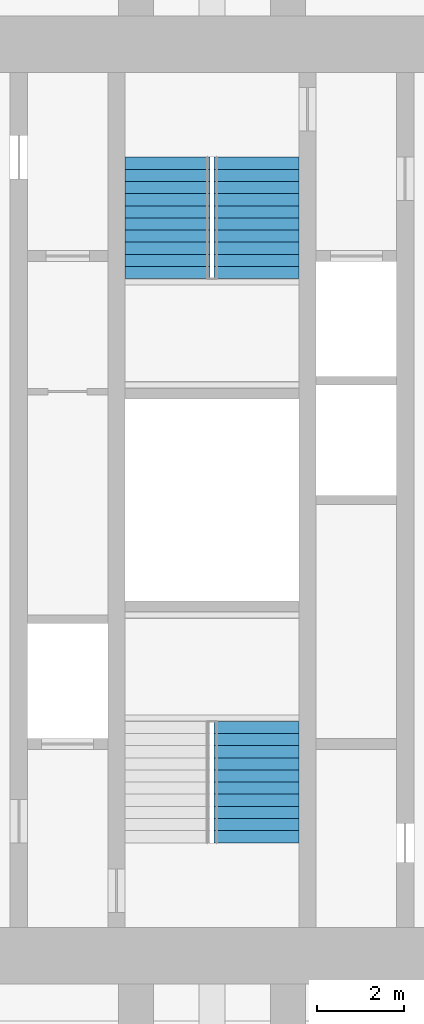
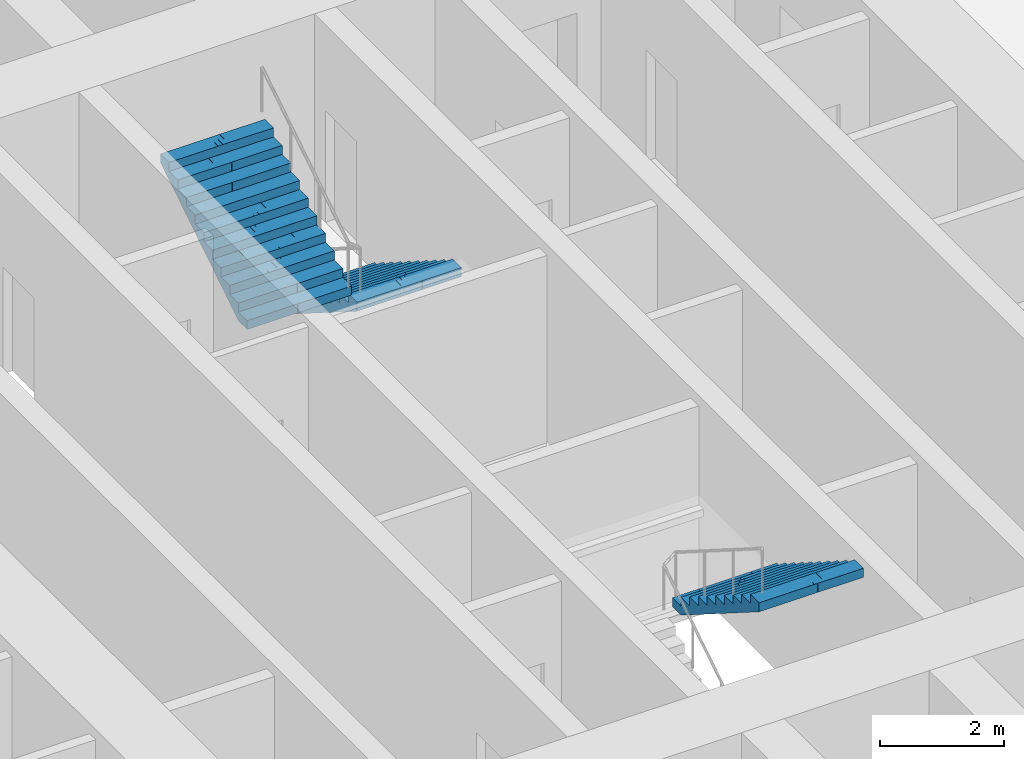
# One storey, part 16 of 17: 3 stair flights, 2 elements without a shape of their own.
"""IFC4 building model written with IfcOpenShell, lengths in metres."""

from ifc_helpers import new_model, si_unit, direction, frame, origin, place, context, subcontext, project, spatial, polyline, outline, extrude, material, type_object, element, aggregate, save


model = new_model("IFC4")

# Units and contexts
model_context = context("Model", 3, precision=1e-05, world=origin(), true_north=direction((0.0, 1.0)))
body_context = subcontext(model_context, "Body", "Model", "MODEL_VIEW")
ifc_project = project(units=[si_unit("LENGTHUNIT", "METRE"), si_unit("AREAUNIT", "SQUARE_METRE"), si_unit("VOLUMEUNIT", "CUBIC_METRE"), si_unit("PLANEANGLEUNIT", "RADIAN"), si_unit("MASSUNIT", "GRAM", prefix="KILO")], contexts=[model_context])

# Site, building, storey
site_placement = place(None, origin())
site = spatial("IfcSite", under=ifc_project, at=site_placement, CompositionType="ELEMENT")
building_placement = place(site_placement, origin())
building = spatial("IfcBuilding", under=site, at=building_placement, Name="Mizan Broadcast Tower", CompositionType="ELEMENT")
storey_placement = place(building_placement, frame((0.0, 0.0, 243.89990234375)))
storey = spatial("IfcBuildingStorey", under=building, at=storey_placement, Name="L57", CompositionType="ELEMENT", Elevation=243.89990234375)

# Stair, stair flight
ifc_material_1 = material(Name="Concrete C40/50", Category="concrete")
stair_type = type_object("IfcStairType", Name="EXIT STAIR", PredefinedType="HALF_TURN_STAIR", material=ifc_material_1)
stair_1_placement = place(storey_placement, origin())
stair_1 = element("IfcStair", 1, at=stair_1_placement, inside=storey, type_object=stair_type, Name="Stair A L57", PredefinedType="HALF_TURN_STAIR")
ifc_material_2 = material(Name="Concrete C40/50", Category="concrete")
stair_flight_type = type_object("IfcStairFlightType", Name="EXIT STAIR FLIGHT", PredefinedType="STRAIGHT", material=ifc_material_2)
stair_flight_1_placement = place(storey_placement, frame((1.02490234375, -5.10009765625, 1.9501953125), z_axis=(0.0, 0.0, 1.0), x_axis=(0.0, -1.0, 0.0)))
stair_flight_1 = element("IfcStairFlight", 2, at=stair_flight_1_placement, type_object=stair_flight_type, Name="A flight 2", NumberOfRisers=11, NumberOfTreads=10, PredefinedType="STRAIGHT", RiserHeight=0.177272727, TreadLength=0.28, context=body_context, shape_type="SweptSolid", body=[
    extrude(outline(polyline([(0.0, 0.0), (0.0, 0.17724609375), (0.280029296875, 0.17724609375), (0.280029296875, 0.3544921875), (0.56005859375, 0.3544921875), (0.56005859375, 0.53173828125), (0.840087890625, 0.53173828125), (0.840087890625, 0.708984375), (1.1201171875, 0.708984375), (1.1201171875, 0.886474609375), (1.39990234375, 0.886474609375), (1.39990234375, 1.063720703125), (1.679931640625, 1.063720703125), (1.679931640625, 1.240966796875), (1.9599609375, 1.240966796875), (1.9599609375, 1.418212890625), (2.239990234375, 1.418212890625), (2.239990234375, 1.595458984375), (2.52001953125, 1.595458984375), (2.52001953125, 1.772705078125), (2.800048828125, 1.772705078125), (2.800048828125, 1.949951171875), (2.800048828125, 1.59521484375), (0.2802734375, 0.0), (0.0, 0.0)])), frame((0.0, 0.97509765625, 0.0), z_axis=(0.0, -1.0, 0.0), x_axis=(1.0, 0.0, 0.0)), (0.0, 0.0, 1.0), 0.4873046875),
    extrude(outline(polyline([(0.0, 0.0), (0.0, 0.17724609375), (0.280029296875, 0.17724609375), (0.280029296875, 0.3544921875), (0.56005859375, 0.3544921875), (0.56005859375, 0.53173828125), (0.840087890625, 0.53173828125), (0.840087890625, 0.708984375), (1.1201171875, 0.708984375), (1.1201171875, 0.886474609375), (1.39990234375, 0.886474609375), (1.39990234375, 1.063720703125), (1.679931640625, 1.063720703125), (1.679931640625, 1.240966796875), (1.9599609375, 1.240966796875), (1.9599609375, 1.418212890625), (2.239990234375, 1.418212890625), (2.239990234375, 1.595458984375), (2.52001953125, 1.595458984375), (2.52001953125, 1.772705078125), (2.800048828125, 1.772705078125), (2.800048828125, 1.949951171875), (2.800048828125, 1.59521484375), (0.2802734375, 0.0), (0.0, 0.0)])), frame((0.0, 0.4873046875, 0.0), z_axis=(0.0, -1.0, 0.0), x_axis=(1.0, 0.0, 0.0)), (0.0, 0.0, 1.0), 0.2431640625),
    extrude(outline(polyline([(0.0, 0.0), (0.0, 0.17724609375), (0.280029296875, 0.17724609375), (0.280029296875, 0.3544921875), (0.56005859375, 0.3544921875), (0.56005859375, 0.53173828125), (0.840087890625, 0.53173828125), (0.840087890625, 0.708984375), (1.1201171875, 0.708984375), (1.1201171875, 0.886474609375), (1.39990234375, 0.886474609375), (1.39990234375, 1.063720703125), (1.679931640625, 1.063720703125), (1.679931640625, 1.240966796875), (1.9599609375, 1.240966796875), (1.9599609375, 1.418212890625), (2.239990234375, 1.418212890625), (2.239990234375, 1.595458984375), (2.52001953125, 1.595458984375), (2.52001953125, 1.772705078125), (2.800048828125, 1.772705078125), (2.800048828125, 1.949951171875), (2.800048828125, 1.59521484375), (0.2802734375, 0.0), (0.0, 0.0)])), frame((0.0, 0.24365234375, 0.0), z_axis=(0.0, -1.0, 0.0), x_axis=(1.0, 0.0, 0.0)), (0.0, 0.0, 1.0), 0.121337890625),
    extrude(outline(polyline([(0.0, 0.0), (0.0, 0.17724609375), (0.280029296875, 0.17724609375), (0.280029296875, 0.3544921875), (0.56005859375, 0.3544921875), (0.56005859375, 0.53173828125), (0.840087890625, 0.53173828125), (0.840087890625, 0.708984375), (1.1201171875, 0.708984375), (1.1201171875, 0.886474609375), (1.39990234375, 0.886474609375), (1.39990234375, 1.063720703125), (1.679931640625, 1.063720703125), (1.679931640625, 1.240966796875), (1.9599609375, 1.240966796875), (1.9599609375, 1.418212890625), (2.239990234375, 1.418212890625), (2.239990234375, 1.595458984375), (2.52001953125, 1.595458984375), (2.52001953125, 1.772705078125), (2.800048828125, 1.772705078125), (2.800048828125, 1.949951171875), (2.800048828125, 1.59521484375), (0.2802734375, 0.0), (0.0, 0.0)])), frame((0.0, 0.121826171875, 0.0), z_axis=(0.0, -1.0, 0.0), x_axis=(1.0, 0.0, 0.0)), (0.0, 0.0, 1.0), 0.060546875),
    extrude(outline(polyline([(0.0, 0.0), (0.0, 0.17724609375), (0.280029296875, 0.17724609375), (0.280029296875, 0.3544921875), (0.56005859375, 0.3544921875), (0.56005859375, 0.53173828125), (0.840087890625, 0.53173828125), (0.840087890625, 0.708984375), (1.1201171875, 0.708984375), (1.1201171875, 0.886474609375), (1.39990234375, 0.886474609375), (1.39990234375, 1.063720703125), (1.679931640625, 1.063720703125), (1.679931640625, 1.240966796875), (1.9599609375, 1.240966796875), (1.9599609375, 1.418212890625), (2.239990234375, 1.418212890625), (2.239990234375, 1.595458984375), (2.52001953125, 1.595458984375), (2.52001953125, 1.772705078125), (2.800048828125, 1.772705078125), (2.800048828125, 1.949951171875), (2.800048828125, 1.59521484375), (0.2802734375, 0.0), (0.0, 0.0)])), frame((0.0, 0.060791015625, 0.0), z_axis=(0.0, -1.0, 0.0), x_axis=(1.0, 0.0, 0.0)), (0.0, 0.0, 1.0), 0.030029296875),
    extrude(outline(polyline([(0.0, 0.0), (0.0, 0.17724609375), (0.280029296875, 0.17724609375), (0.280029296875, 0.3544921875), (0.56005859375, 0.3544921875), (0.56005859375, 0.53173828125), (0.840087890625, 0.53173828125), (0.840087890625, 0.708984375), (1.1201171875, 0.708984375), (1.1201171875, 0.886474609375), (1.39990234375, 0.886474609375), (1.39990234375, 1.063720703125), (1.679931640625, 1.063720703125), (1.679931640625, 1.240966796875), (1.9599609375, 1.240966796875), (1.9599609375, 1.418212890625), (2.239990234375, 1.418212890625), (2.239990234375, 1.595458984375), (2.52001953125, 1.595458984375), (2.52001953125, 1.772705078125), (2.800048828125, 1.772705078125), (2.800048828125, 1.949951171875), (2.800048828125, 1.59521484375), (0.2802734375, 0.0), (0.0, 0.0)])), frame((0.0, 0.0302734375, 0.0), z_axis=(0.0, -1.0, 0.0), x_axis=(1.0, 0.0, 0.0)), (0.0, 0.0, 1.0), 0.060302734375),
    extrude(outline(polyline([(0.0, 0.0), (0.0, 0.17724609375), (0.280029296875, 0.17724609375), (0.280029296875, 0.3544921875), (0.56005859375, 0.3544921875), (0.56005859375, 0.53173828125), (0.840087890625, 0.53173828125), (0.840087890625, 0.708984375), (1.1201171875, 0.708984375), (1.1201171875, 0.886474609375), (1.39990234375, 0.886474609375), (1.39990234375, 1.063720703125), (1.679931640625, 1.063720703125), (1.679931640625, 1.240966796875), (1.9599609375, 1.240966796875), (1.9599609375, 1.418212890625), (2.239990234375, 1.418212890625), (2.239990234375, 1.595458984375), (2.52001953125, 1.595458984375), (2.52001953125, 1.772705078125), (2.800048828125, 1.772705078125), (2.800048828125, 1.949951171875), (2.800048828125, 1.59521484375), (0.2802734375, 0.0), (0.0, 0.0)])), frame((0.0, -0.030517578125, 0.0), z_axis=(0.0, -1.0, 0.0), x_axis=(1.0, 0.0, 0.0)), (0.0, 0.0, 1.0), 0.030029296875),
    extrude(outline(polyline([(0.0, 0.0), (0.0, 0.17724609375), (0.280029296875, 0.17724609375), (0.280029296875, 0.3544921875), (0.56005859375, 0.3544921875), (0.56005859375, 0.53173828125), (0.840087890625, 0.53173828125), (0.840087890625, 0.708984375), (1.1201171875, 0.708984375), (1.1201171875, 0.886474609375), (1.39990234375, 0.886474609375), (1.39990234375, 1.063720703125), (1.679931640625, 1.063720703125), (1.679931640625, 1.240966796875), (1.9599609375, 1.240966796875), (1.9599609375, 1.418212890625), (2.239990234375, 1.418212890625), (2.239990234375, 1.595458984375), (2.52001953125, 1.595458984375), (2.52001953125, 1.772705078125), (2.800048828125, 1.772705078125), (2.800048828125, 1.949951171875), (2.800048828125, 1.59521484375), (0.2802734375, 0.0), (0.0, 0.0)])), frame((0.0, -0.06103515625, 0.0), z_axis=(0.0, -1.0, 0.0), x_axis=(1.0, 0.0, 0.0)), (0.0, 0.0, 1.0), 0.060546875),
    extrude(outline(polyline([(0.0, 0.0), (0.0, 0.17724609375), (0.280029296875, 0.17724609375), (0.280029296875, 0.3544921875), (0.56005859375, 0.3544921875), (0.56005859375, 0.53173828125), (0.840087890625, 0.53173828125), (0.840087890625, 0.708984375), (1.1201171875, 0.708984375), (1.1201171875, 0.886474609375), (1.39990234375, 0.886474609375), (1.39990234375, 1.063720703125), (1.679931640625, 1.063720703125), (1.679931640625, 1.240966796875), (1.9599609375, 1.240966796875), (1.9599609375, 1.418212890625), (2.239990234375, 1.418212890625), (2.239990234375, 1.595458984375), (2.52001953125, 1.595458984375), (2.52001953125, 1.772705078125), (2.800048828125, 1.772705078125), (2.800048828125, 1.949951171875), (2.800048828125, 1.59521484375), (0.2802734375, 0.0), (0.0, 0.0)])), frame((0.0, -0.1220703125, 0.0), z_axis=(0.0, -1.0, 0.0), x_axis=(1.0, 0.0, 0.0)), (0.0, 0.0, 1.0), 0.121337890625),
    extrude(outline(polyline([(0.0, 0.0), (0.0, 0.17724609375), (0.280029296875, 0.17724609375), (0.280029296875, 0.3544921875), (0.56005859375, 0.3544921875), (0.56005859375, 0.53173828125), (0.840087890625, 0.53173828125), (0.840087890625, 0.708984375), (1.1201171875, 0.708984375), (1.1201171875, 0.886474609375), (1.39990234375, 0.886474609375), (1.39990234375, 1.063720703125), (1.679931640625, 1.063720703125), (1.679931640625, 1.240966796875), (1.9599609375, 1.240966796875), (1.9599609375, 1.418212890625), (2.239990234375, 1.418212890625), (2.239990234375, 1.595458984375), (2.52001953125, 1.595458984375), (2.52001953125, 1.772705078125), (2.800048828125, 1.772705078125), (2.800048828125, 1.949951171875), (2.800048828125, 1.59521484375), (0.2802734375, 0.0), (0.0, 0.0)])), frame((0.0, -0.243896484375, 0.0), z_axis=(0.0, -1.0, 0.0), x_axis=(1.0, 0.0, 0.0)), (0.0, 0.0, 1.0), 0.2431640625),
    extrude(outline(polyline([(0.0, 0.0), (0.0, 0.17724609375), (0.280029296875, 0.17724609375), (0.280029296875, 0.3544921875), (0.56005859375, 0.3544921875), (0.56005859375, 0.53173828125), (0.840087890625, 0.53173828125), (0.840087890625, 0.708984375), (1.1201171875, 0.708984375), (1.1201171875, 0.886474609375), (1.39990234375, 0.886474609375), (1.39990234375, 1.063720703125), (1.679931640625, 1.063720703125), (1.679931640625, 1.240966796875), (1.9599609375, 1.240966796875), (1.9599609375, 1.418212890625), (2.239990234375, 1.418212890625), (2.239990234375, 1.595458984375), (2.52001953125, 1.595458984375), (2.52001953125, 1.772705078125), (2.800048828125, 1.772705078125), (2.800048828125, 1.949951171875), (2.800048828125, 1.59521484375), (0.2802734375, 0.0), (0.0, 0.0)])), frame((0.0, -0.487548828125, 0.0), z_axis=(0.0, -1.0, 0.0), x_axis=(1.0, 0.0, 0.0)), (0.0, 0.0, 1.0), 0.4873046875),
])
aggregate(stair_1, [stair_flight_1])

# Stair, stair flights
stair_2_placement = place(storey_placement, origin())
stair_2 = element("IfcStair", 3, at=stair_2_placement, inside=storey, type_object=stair_type, Name="Stair B L57", PredefinedType="HALF_TURN_STAIR")
stair_flight_2_placement = place(storey_placement, frame((1.02490234375, 7.89990234375, 0.0), z_axis=(0.0, 0.0, 1.0), x_axis=(0.0, -1.0, 0.0)))
stair_flight_2 = element("IfcStairFlight", 4, at=stair_flight_2_placement, type_object=stair_flight_type, Name="B flight 1", NumberOfRisers=11, NumberOfTreads=10, PredefinedType="STRAIGHT", RiserHeight=0.177272727, TreadLength=0.28, context=body_context, shape_type="SweptSolid", body=[
    extrude(outline(polyline([(0.0, 0.0), (0.0, 0.17724609375), (0.280029296875, 0.17724609375), (0.280029296875, 0.3544921875), (0.56005859375, 0.3544921875), (0.56005859375, 0.53173828125), (0.840087890625, 0.53173828125), (0.840087890625, 0.708984375), (1.1201171875, 0.708984375), (1.1201171875, 0.886474609375), (1.39990234375, 0.886474609375), (1.39990234375, 1.063720703125), (1.679931640625, 1.063720703125), (1.679931640625, 1.240966796875), (1.9599609375, 1.240966796875), (1.9599609375, 1.418212890625), (2.239990234375, 1.418212890625), (2.239990234375, 1.595458984375), (2.52001953125, 1.595458984375), (2.52001953125, 1.772705078125), (2.800048828125, 1.772705078125), (2.800048828125, 1.949951171875), (2.800048828125, 1.59521484375), (0.2802734375, 0.0), (0.0, 0.0)])), frame((0.0, 0.97509765625, 0.0), z_axis=(0.0, -1.0, 0.0), x_axis=(1.0, 0.0, 0.0)), (0.0, 0.0, 1.0), 0.4873046875),
    extrude(outline(polyline([(0.0, 0.0), (0.0, 0.17724609375), (0.280029296875, 0.17724609375), (0.280029296875, 0.3544921875), (0.56005859375, 0.3544921875), (0.56005859375, 0.53173828125), (0.840087890625, 0.53173828125), (0.840087890625, 0.708984375), (1.1201171875, 0.708984375), (1.1201171875, 0.886474609375), (1.39990234375, 0.886474609375), (1.39990234375, 1.063720703125), (1.679931640625, 1.063720703125), (1.679931640625, 1.240966796875), (1.9599609375, 1.240966796875), (1.9599609375, 1.418212890625), (2.239990234375, 1.418212890625), (2.239990234375, 1.595458984375), (2.52001953125, 1.595458984375), (2.52001953125, 1.772705078125), (2.800048828125, 1.772705078125), (2.800048828125, 1.949951171875), (2.800048828125, 1.59521484375), (0.2802734375, 0.0), (0.0, 0.0)])), frame((0.0, 0.4873046875, 0.0), z_axis=(0.0, -1.0, 0.0), x_axis=(1.0, 0.0, 0.0)), (0.0, 0.0, 1.0), 0.2431640625),
    extrude(outline(polyline([(0.0, 0.0), (0.0, 0.17724609375), (0.280029296875, 0.17724609375), (0.280029296875, 0.3544921875), (0.56005859375, 0.3544921875), (0.56005859375, 0.53173828125), (0.840087890625, 0.53173828125), (0.840087890625, 0.708984375), (1.1201171875, 0.708984375), (1.1201171875, 0.886474609375), (1.39990234375, 0.886474609375), (1.39990234375, 1.063720703125), (1.679931640625, 1.063720703125), (1.679931640625, 1.240966796875), (1.9599609375, 1.240966796875), (1.9599609375, 1.418212890625), (2.239990234375, 1.418212890625), (2.239990234375, 1.595458984375), (2.52001953125, 1.595458984375), (2.52001953125, 1.772705078125), (2.800048828125, 1.772705078125), (2.800048828125, 1.949951171875), (2.800048828125, 1.59521484375), (0.2802734375, 0.0), (0.0, 0.0)])), frame((0.0, 0.24365234375, 0.0), z_axis=(0.0, -1.0, 0.0), x_axis=(1.0, 0.0, 0.0)), (0.0, 0.0, 1.0), 0.121337890625),
    extrude(outline(polyline([(0.0, 0.0), (0.0, 0.17724609375), (0.280029296875, 0.17724609375), (0.280029296875, 0.3544921875), (0.56005859375, 0.3544921875), (0.56005859375, 0.53173828125), (0.840087890625, 0.53173828125), (0.840087890625, 0.708984375), (1.1201171875, 0.708984375), (1.1201171875, 0.886474609375), (1.39990234375, 0.886474609375), (1.39990234375, 1.063720703125), (1.679931640625, 1.063720703125), (1.679931640625, 1.240966796875), (1.9599609375, 1.240966796875), (1.9599609375, 1.418212890625), (2.239990234375, 1.418212890625), (2.239990234375, 1.595458984375), (2.52001953125, 1.595458984375), (2.52001953125, 1.772705078125), (2.800048828125, 1.772705078125), (2.800048828125, 1.949951171875), (2.800048828125, 1.59521484375), (0.2802734375, 0.0), (0.0, 0.0)])), frame((0.0, 0.121826171875, 0.0), z_axis=(0.0, -1.0, 0.0), x_axis=(1.0, 0.0, 0.0)), (0.0, 0.0, 1.0), 0.060546875),
    extrude(outline(polyline([(0.0, 0.0), (0.0, 0.17724609375), (0.280029296875, 0.17724609375), (0.280029296875, 0.3544921875), (0.56005859375, 0.3544921875), (0.56005859375, 0.53173828125), (0.840087890625, 0.53173828125), (0.840087890625, 0.708984375), (1.1201171875, 0.708984375), (1.1201171875, 0.886474609375), (1.39990234375, 0.886474609375), (1.39990234375, 1.063720703125), (1.679931640625, 1.063720703125), (1.679931640625, 1.240966796875), (1.9599609375, 1.240966796875), (1.9599609375, 1.418212890625), (2.239990234375, 1.418212890625), (2.239990234375, 1.595458984375), (2.52001953125, 1.595458984375), (2.52001953125, 1.772705078125), (2.800048828125, 1.772705078125), (2.800048828125, 1.949951171875), (2.800048828125, 1.59521484375), (0.2802734375, 0.0), (0.0, 0.0)])), frame((0.0, 0.060791015625, 0.0), z_axis=(0.0, -1.0, 0.0), x_axis=(1.0, 0.0, 0.0)), (0.0, 0.0, 1.0), 0.030029296875),
    extrude(outline(polyline([(0.0, 0.0), (0.0, 0.17724609375), (0.280029296875, 0.17724609375), (0.280029296875, 0.3544921875), (0.56005859375, 0.3544921875), (0.56005859375, 0.53173828125), (0.840087890625, 0.53173828125), (0.840087890625, 0.708984375), (1.1201171875, 0.708984375), (1.1201171875, 0.886474609375), (1.39990234375, 0.886474609375), (1.39990234375, 1.063720703125), (1.679931640625, 1.063720703125), (1.679931640625, 1.240966796875), (1.9599609375, 1.240966796875), (1.9599609375, 1.418212890625), (2.239990234375, 1.418212890625), (2.239990234375, 1.595458984375), (2.52001953125, 1.595458984375), (2.52001953125, 1.772705078125), (2.800048828125, 1.772705078125), (2.800048828125, 1.949951171875), (2.800048828125, 1.59521484375), (0.2802734375, 0.0), (0.0, 0.0)])), frame((0.0, 0.0302734375, 0.0), z_axis=(0.0, -1.0, 0.0), x_axis=(1.0, 0.0, 0.0)), (0.0, 0.0, 1.0), 0.060302734375),
    extrude(outline(polyline([(0.0, 0.0), (0.0, 0.17724609375), (0.280029296875, 0.17724609375), (0.280029296875, 0.3544921875), (0.56005859375, 0.3544921875), (0.56005859375, 0.53173828125), (0.840087890625, 0.53173828125), (0.840087890625, 0.708984375), (1.1201171875, 0.708984375), (1.1201171875, 0.886474609375), (1.39990234375, 0.886474609375), (1.39990234375, 1.063720703125), (1.679931640625, 1.063720703125), (1.679931640625, 1.240966796875), (1.9599609375, 1.240966796875), (1.9599609375, 1.418212890625), (2.239990234375, 1.418212890625), (2.239990234375, 1.595458984375), (2.52001953125, 1.595458984375), (2.52001953125, 1.772705078125), (2.800048828125, 1.772705078125), (2.800048828125, 1.949951171875), (2.800048828125, 1.59521484375), (0.2802734375, 0.0), (0.0, 0.0)])), frame((0.0, -0.030517578125, 0.0), z_axis=(0.0, -1.0, 0.0), x_axis=(1.0, 0.0, 0.0)), (0.0, 0.0, 1.0), 0.030029296875),
    extrude(outline(polyline([(0.0, 0.0), (0.0, 0.17724609375), (0.280029296875, 0.17724609375), (0.280029296875, 0.3544921875), (0.56005859375, 0.3544921875), (0.56005859375, 0.53173828125), (0.840087890625, 0.53173828125), (0.840087890625, 0.708984375), (1.1201171875, 0.708984375), (1.1201171875, 0.886474609375), (1.39990234375, 0.886474609375), (1.39990234375, 1.063720703125), (1.679931640625, 1.063720703125), (1.679931640625, 1.240966796875), (1.9599609375, 1.240966796875), (1.9599609375, 1.418212890625), (2.239990234375, 1.418212890625), (2.239990234375, 1.595458984375), (2.52001953125, 1.595458984375), (2.52001953125, 1.772705078125), (2.800048828125, 1.772705078125), (2.800048828125, 1.949951171875), (2.800048828125, 1.59521484375), (0.2802734375, 0.0), (0.0, 0.0)])), frame((0.0, -0.06103515625, 0.0), z_axis=(0.0, -1.0, 0.0), x_axis=(1.0, 0.0, 0.0)), (0.0, 0.0, 1.0), 0.060546875),
    extrude(outline(polyline([(0.0, 0.0), (0.0, 0.17724609375), (0.280029296875, 0.17724609375), (0.280029296875, 0.3544921875), (0.56005859375, 0.3544921875), (0.56005859375, 0.53173828125), (0.840087890625, 0.53173828125), (0.840087890625, 0.708984375), (1.1201171875, 0.708984375), (1.1201171875, 0.886474609375), (1.39990234375, 0.886474609375), (1.39990234375, 1.063720703125), (1.679931640625, 1.063720703125), (1.679931640625, 1.240966796875), (1.9599609375, 1.240966796875), (1.9599609375, 1.418212890625), (2.239990234375, 1.418212890625), (2.239990234375, 1.595458984375), (2.52001953125, 1.595458984375), (2.52001953125, 1.772705078125), (2.800048828125, 1.772705078125), (2.800048828125, 1.949951171875), (2.800048828125, 1.59521484375), (0.2802734375, 0.0), (0.0, 0.0)])), frame((0.0, -0.1220703125, 0.0), z_axis=(0.0, -1.0, 0.0), x_axis=(1.0, 0.0, 0.0)), (0.0, 0.0, 1.0), 0.121337890625),
    extrude(outline(polyline([(0.0, 0.0), (0.0, 0.17724609375), (0.280029296875, 0.17724609375), (0.280029296875, 0.3544921875), (0.56005859375, 0.3544921875), (0.56005859375, 0.53173828125), (0.840087890625, 0.53173828125), (0.840087890625, 0.708984375), (1.1201171875, 0.708984375), (1.1201171875, 0.886474609375), (1.39990234375, 0.886474609375), (1.39990234375, 1.063720703125), (1.679931640625, 1.063720703125), (1.679931640625, 1.240966796875), (1.9599609375, 1.240966796875), (1.9599609375, 1.418212890625), (2.239990234375, 1.418212890625), (2.239990234375, 1.595458984375), (2.52001953125, 1.595458984375), (2.52001953125, 1.772705078125), (2.800048828125, 1.772705078125), (2.800048828125, 1.949951171875), (2.800048828125, 1.59521484375), (0.2802734375, 0.0), (0.0, 0.0)])), frame((0.0, -0.243896484375, 0.0), z_axis=(0.0, -1.0, 0.0), x_axis=(1.0, 0.0, 0.0)), (0.0, 0.0, 1.0), 0.2431640625),
    extrude(outline(polyline([(0.0, 0.0), (0.0, 0.17724609375), (0.280029296875, 0.17724609375), (0.280029296875, 0.3544921875), (0.56005859375, 0.3544921875), (0.56005859375, 0.53173828125), (0.840087890625, 0.53173828125), (0.840087890625, 0.708984375), (1.1201171875, 0.708984375), (1.1201171875, 0.886474609375), (1.39990234375, 0.886474609375), (1.39990234375, 1.063720703125), (1.679931640625, 1.063720703125), (1.679931640625, 1.240966796875), (1.9599609375, 1.240966796875), (1.9599609375, 1.418212890625), (2.239990234375, 1.418212890625), (2.239990234375, 1.595458984375), (2.52001953125, 1.595458984375), (2.52001953125, 1.772705078125), (2.800048828125, 1.772705078125), (2.800048828125, 1.949951171875), (2.800048828125, 1.59521484375), (0.2802734375, 0.0), (0.0, 0.0)])), frame((0.0, -0.487548828125, 0.0), z_axis=(0.0, -1.0, 0.0), x_axis=(1.0, 0.0, 0.0)), (0.0, 0.0, 1.0), 0.4873046875),
])
stair_flight_3_placement = place(storey_placement, frame((-1.02490234375, 5.10009765625, 1.9501953125), z_axis=(0.0, 0.0, 1.0), x_axis=(0.0, 1.0, 0.0)))
stair_flight_3 = element("IfcStairFlight", 5, at=stair_flight_3_placement, type_object=stair_flight_type, Name="B flight 2", NumberOfRisers=11, NumberOfTreads=10, PredefinedType="STRAIGHT", RiserHeight=0.177272727, TreadLength=0.28, context=body_context, shape_type="SweptSolid", body=[
    extrude(outline(polyline([(0.0, 0.0), (0.0, 0.17724609375), (0.280029296875, 0.17724609375), (0.280029296875, 0.3544921875), (0.56005859375, 0.3544921875), (0.56005859375, 0.53173828125), (0.840087890625, 0.53173828125), (0.840087890625, 0.708984375), (1.1201171875, 0.708984375), (1.1201171875, 0.886474609375), (1.39990234375, 0.886474609375), (1.39990234375, 1.063720703125), (1.679931640625, 1.063720703125), (1.679931640625, 1.240966796875), (1.9599609375, 1.240966796875), (1.9599609375, 1.418212890625), (2.239990234375, 1.418212890625), (2.239990234375, 1.595458984375), (2.52001953125, 1.595458984375), (2.52001953125, 1.772705078125), (2.800048828125, 1.772705078125), (2.800048828125, 1.949951171875), (2.800048828125, 1.59521484375), (0.2802734375, 0.0), (0.0, 0.0)])), frame((0.0, 0.97509765625, 0.0), z_axis=(0.0, -1.0, 0.0), x_axis=(1.0, 0.0, 0.0)), (0.0, 0.0, 1.0), 0.4873046875),
    extrude(outline(polyline([(0.0, 0.0), (0.0, 0.17724609375), (0.280029296875, 0.17724609375), (0.280029296875, 0.3544921875), (0.56005859375, 0.3544921875), (0.56005859375, 0.53173828125), (0.840087890625, 0.53173828125), (0.840087890625, 0.708984375), (1.1201171875, 0.708984375), (1.1201171875, 0.886474609375), (1.39990234375, 0.886474609375), (1.39990234375, 1.063720703125), (1.679931640625, 1.063720703125), (1.679931640625, 1.240966796875), (1.9599609375, 1.240966796875), (1.9599609375, 1.418212890625), (2.239990234375, 1.418212890625), (2.239990234375, 1.595458984375), (2.52001953125, 1.595458984375), (2.52001953125, 1.772705078125), (2.800048828125, 1.772705078125), (2.800048828125, 1.949951171875), (2.800048828125, 1.59521484375), (0.2802734375, 0.0), (0.0, 0.0)])), frame((0.0, 0.4873046875, 0.0), z_axis=(0.0, -1.0, 0.0), x_axis=(1.0, 0.0, 0.0)), (0.0, 0.0, 1.0), 0.2431640625),
    extrude(outline(polyline([(0.0, 0.0), (0.0, 0.17724609375), (0.280029296875, 0.17724609375), (0.280029296875, 0.3544921875), (0.56005859375, 0.3544921875), (0.56005859375, 0.53173828125), (0.840087890625, 0.53173828125), (0.840087890625, 0.708984375), (1.1201171875, 0.708984375), (1.1201171875, 0.886474609375), (1.39990234375, 0.886474609375), (1.39990234375, 1.063720703125), (1.679931640625, 1.063720703125), (1.679931640625, 1.240966796875), (1.9599609375, 1.240966796875), (1.9599609375, 1.418212890625), (2.239990234375, 1.418212890625), (2.239990234375, 1.595458984375), (2.52001953125, 1.595458984375), (2.52001953125, 1.772705078125), (2.800048828125, 1.772705078125), (2.800048828125, 1.949951171875), (2.800048828125, 1.59521484375), (0.2802734375, 0.0), (0.0, 0.0)])), frame((0.0, 0.24365234375, 0.0), z_axis=(0.0, -1.0, 0.0), x_axis=(1.0, 0.0, 0.0)), (0.0, 0.0, 1.0), 0.121337890625),
    extrude(outline(polyline([(0.0, 0.0), (0.0, 0.17724609375), (0.280029296875, 0.17724609375), (0.280029296875, 0.3544921875), (0.56005859375, 0.3544921875), (0.56005859375, 0.53173828125), (0.840087890625, 0.53173828125), (0.840087890625, 0.708984375), (1.1201171875, 0.708984375), (1.1201171875, 0.886474609375), (1.39990234375, 0.886474609375), (1.39990234375, 1.063720703125), (1.679931640625, 1.063720703125), (1.679931640625, 1.240966796875), (1.9599609375, 1.240966796875), (1.9599609375, 1.418212890625), (2.239990234375, 1.418212890625), (2.239990234375, 1.595458984375), (2.52001953125, 1.595458984375), (2.52001953125, 1.772705078125), (2.800048828125, 1.772705078125), (2.800048828125, 1.949951171875), (2.800048828125, 1.59521484375), (0.2802734375, 0.0), (0.0, 0.0)])), frame((0.0, 0.121826171875, 0.0), z_axis=(0.0, -1.0, 0.0), x_axis=(1.0, 0.0, 0.0)), (0.0, 0.0, 1.0), 0.060546875),
    extrude(outline(polyline([(0.0, 0.0), (0.0, 0.17724609375), (0.280029296875, 0.17724609375), (0.280029296875, 0.3544921875), (0.56005859375, 0.3544921875), (0.56005859375, 0.53173828125), (0.840087890625, 0.53173828125), (0.840087890625, 0.708984375), (1.1201171875, 0.708984375), (1.1201171875, 0.886474609375), (1.39990234375, 0.886474609375), (1.39990234375, 1.063720703125), (1.679931640625, 1.063720703125), (1.679931640625, 1.240966796875), (1.9599609375, 1.240966796875), (1.9599609375, 1.418212890625), (2.239990234375, 1.418212890625), (2.239990234375, 1.595458984375), (2.52001953125, 1.595458984375), (2.52001953125, 1.772705078125), (2.800048828125, 1.772705078125), (2.800048828125, 1.949951171875), (2.800048828125, 1.59521484375), (0.2802734375, 0.0), (0.0, 0.0)])), frame((0.0, 0.060791015625, 0.0), z_axis=(0.0, -1.0, 0.0), x_axis=(1.0, 0.0, 0.0)), (0.0, 0.0, 1.0), 0.030029296875),
    extrude(outline(polyline([(0.0, 0.0), (0.0, 0.17724609375), (0.280029296875, 0.17724609375), (0.280029296875, 0.3544921875), (0.56005859375, 0.3544921875), (0.56005859375, 0.53173828125), (0.840087890625, 0.53173828125), (0.840087890625, 0.708984375), (1.1201171875, 0.708984375), (1.1201171875, 0.886474609375), (1.39990234375, 0.886474609375), (1.39990234375, 1.063720703125), (1.679931640625, 1.063720703125), (1.679931640625, 1.240966796875), (1.9599609375, 1.240966796875), (1.9599609375, 1.418212890625), (2.239990234375, 1.418212890625), (2.239990234375, 1.595458984375), (2.52001953125, 1.595458984375), (2.52001953125, 1.772705078125), (2.800048828125, 1.772705078125), (2.800048828125, 1.949951171875), (2.800048828125, 1.59521484375), (0.2802734375, 0.0), (0.0, 0.0)])), frame((0.0, 0.0302734375, 0.0), z_axis=(0.0, -1.0, 0.0), x_axis=(1.0, 0.0, 0.0)), (0.0, 0.0, 1.0), 0.060302734375),
    extrude(outline(polyline([(0.0, 0.0), (0.0, 0.17724609375), (0.280029296875, 0.17724609375), (0.280029296875, 0.3544921875), (0.56005859375, 0.3544921875), (0.56005859375, 0.53173828125), (0.840087890625, 0.53173828125), (0.840087890625, 0.708984375), (1.1201171875, 0.708984375), (1.1201171875, 0.886474609375), (1.39990234375, 0.886474609375), (1.39990234375, 1.063720703125), (1.679931640625, 1.063720703125), (1.679931640625, 1.240966796875), (1.9599609375, 1.240966796875), (1.9599609375, 1.418212890625), (2.239990234375, 1.418212890625), (2.239990234375, 1.595458984375), (2.52001953125, 1.595458984375), (2.52001953125, 1.772705078125), (2.800048828125, 1.772705078125), (2.800048828125, 1.949951171875), (2.800048828125, 1.59521484375), (0.2802734375, 0.0), (0.0, 0.0)])), frame((0.0, -0.030517578125, 0.0), z_axis=(0.0, -1.0, 0.0), x_axis=(1.0, 0.0, 0.0)), (0.0, 0.0, 1.0), 0.030029296875),
    extrude(outline(polyline([(0.0, 0.0), (0.0, 0.17724609375), (0.280029296875, 0.17724609375), (0.280029296875, 0.3544921875), (0.56005859375, 0.3544921875), (0.56005859375, 0.53173828125), (0.840087890625, 0.53173828125), (0.840087890625, 0.708984375), (1.1201171875, 0.708984375), (1.1201171875, 0.886474609375), (1.39990234375, 0.886474609375), (1.39990234375, 1.063720703125), (1.679931640625, 1.063720703125), (1.679931640625, 1.240966796875), (1.9599609375, 1.240966796875), (1.9599609375, 1.418212890625), (2.239990234375, 1.418212890625), (2.239990234375, 1.595458984375), (2.52001953125, 1.595458984375), (2.52001953125, 1.772705078125), (2.800048828125, 1.772705078125), (2.800048828125, 1.949951171875), (2.800048828125, 1.59521484375), (0.2802734375, 0.0), (0.0, 0.0)])), frame((0.0, -0.06103515625, 0.0), z_axis=(0.0, -1.0, 0.0), x_axis=(1.0, 0.0, 0.0)), (0.0, 0.0, 1.0), 0.060546875),
    extrude(outline(polyline([(0.0, 0.0), (0.0, 0.17724609375), (0.280029296875, 0.17724609375), (0.280029296875, 0.3544921875), (0.56005859375, 0.3544921875), (0.56005859375, 0.53173828125), (0.840087890625, 0.53173828125), (0.840087890625, 0.708984375), (1.1201171875, 0.708984375), (1.1201171875, 0.886474609375), (1.39990234375, 0.886474609375), (1.39990234375, 1.063720703125), (1.679931640625, 1.063720703125), (1.679931640625, 1.240966796875), (1.9599609375, 1.240966796875), (1.9599609375, 1.418212890625), (2.239990234375, 1.418212890625), (2.239990234375, 1.595458984375), (2.52001953125, 1.595458984375), (2.52001953125, 1.772705078125), (2.800048828125, 1.772705078125), (2.800048828125, 1.949951171875), (2.800048828125, 1.59521484375), (0.2802734375, 0.0), (0.0, 0.0)])), frame((0.0, -0.1220703125, 0.0), z_axis=(0.0, -1.0, 0.0), x_axis=(1.0, 0.0, 0.0)), (0.0, 0.0, 1.0), 0.121337890625),
    extrude(outline(polyline([(0.0, 0.0), (0.0, 0.17724609375), (0.280029296875, 0.17724609375), (0.280029296875, 0.3544921875), (0.56005859375, 0.3544921875), (0.56005859375, 0.53173828125), (0.840087890625, 0.53173828125), (0.840087890625, 0.708984375), (1.1201171875, 0.708984375), (1.1201171875, 0.886474609375), (1.39990234375, 0.886474609375), (1.39990234375, 1.063720703125), (1.679931640625, 1.063720703125), (1.679931640625, 1.240966796875), (1.9599609375, 1.240966796875), (1.9599609375, 1.418212890625), (2.239990234375, 1.418212890625), (2.239990234375, 1.595458984375), (2.52001953125, 1.595458984375), (2.52001953125, 1.772705078125), (2.800048828125, 1.772705078125), (2.800048828125, 1.949951171875), (2.800048828125, 1.59521484375), (0.2802734375, 0.0), (0.0, 0.0)])), frame((0.0, -0.243896484375, 0.0), z_axis=(0.0, -1.0, 0.0), x_axis=(1.0, 0.0, 0.0)), (0.0, 0.0, 1.0), 0.2431640625),
    extrude(outline(polyline([(0.0, 0.0), (0.0, 0.17724609375), (0.280029296875, 0.17724609375), (0.280029296875, 0.3544921875), (0.56005859375, 0.3544921875), (0.56005859375, 0.53173828125), (0.840087890625, 0.53173828125), (0.840087890625, 0.708984375), (1.1201171875, 0.708984375), (1.1201171875, 0.886474609375), (1.39990234375, 0.886474609375), (1.39990234375, 1.063720703125), (1.679931640625, 1.063720703125), (1.679931640625, 1.240966796875), (1.9599609375, 1.240966796875), (1.9599609375, 1.418212890625), (2.239990234375, 1.418212890625), (2.239990234375, 1.595458984375), (2.52001953125, 1.595458984375), (2.52001953125, 1.772705078125), (2.800048828125, 1.772705078125), (2.800048828125, 1.949951171875), (2.800048828125, 1.59521484375), (0.2802734375, 0.0), (0.0, 0.0)])), frame((0.0, -0.487548828125, 0.0), z_axis=(0.0, -1.0, 0.0), x_axis=(1.0, 0.0, 0.0)), (0.0, 0.0, 1.0), 0.4873046875),
])
aggregate(stair_2, [stair_flight_2, stair_flight_3])

save(model, "model.ifc")
